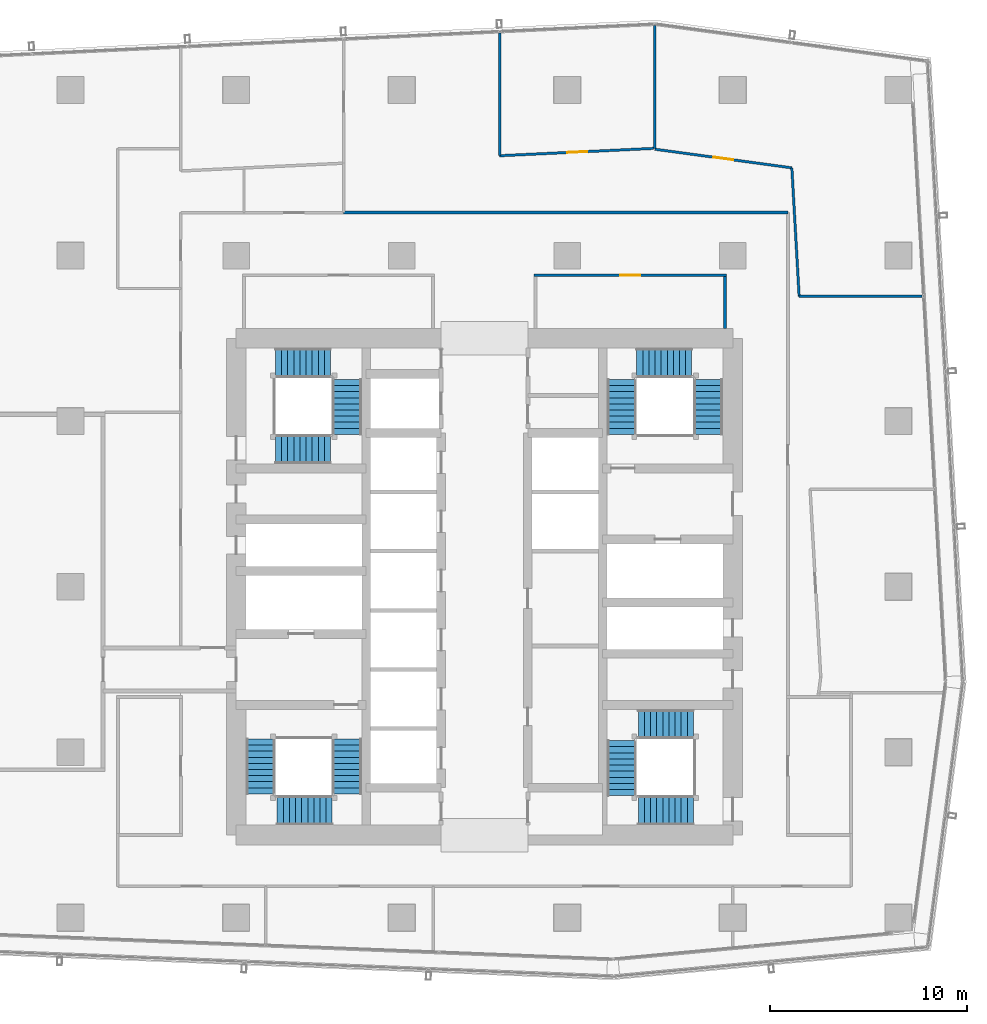
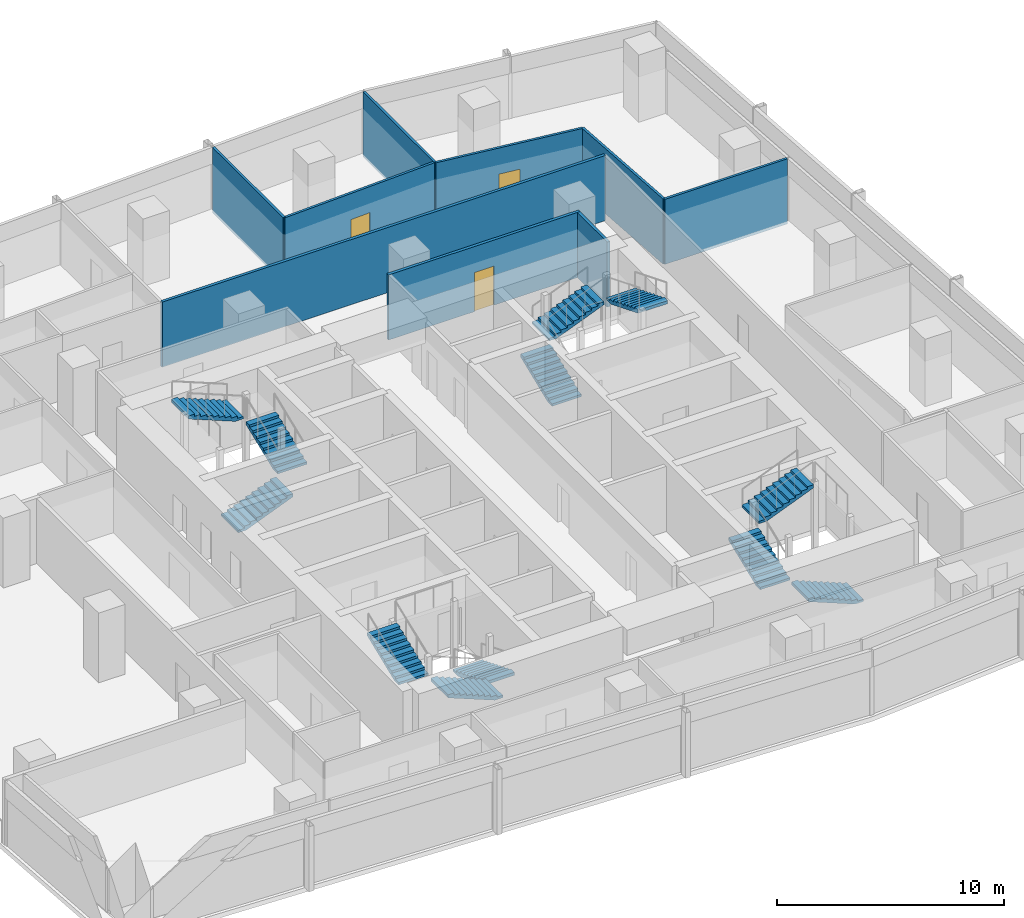
# One storey, part 29 of 39: 12 stair flights, 9 walls, 3 doors, 3 openings, 4 elements without a shape of their own.
"""IFC4 building model written with IfcOpenShell, lengths in metres."""

from ifc_helpers import new_model, si_unit, direction, frame, frame_2d, origin, place, context, subcontext, project, spatial, polyline, rectangle, outline, extrude, material, layer, layer_set, type_object, element, fill, aggregate, save


model = new_model("IFC4")

# Units and contexts
model_context = context("Model", 3, precision=1e-05, world=origin(), true_north=direction((0.0, 1.0)))
body_context = subcontext(model_context, "Body", "Model", "MODEL_VIEW")
ifc_project = project(units=[si_unit("LENGTHUNIT", "METRE"), si_unit("AREAUNIT", "SQUARE_METRE"), si_unit("VOLUMEUNIT", "CUBIC_METRE"), si_unit("PLANEANGLEUNIT", "RADIAN"), si_unit("MASSUNIT", "GRAM", prefix="KILO")], contexts=[model_context])

# Site, building, storey
site_placement = place(None, origin())
site = spatial("IfcSite", under=ifc_project, at=site_placement, CompositionType="ELEMENT")
building_placement = place(site_placement, origin())
building = spatial("IfcBuilding", under=site, at=building_placement, Name="Rekha Terrace Tower", CompositionType="ELEMENT")
storey_placement = place(building_placement, frame((0.0, 0.0, 221.449951171875)))
storey = spatial("IfcBuildingStorey", under=building, at=storey_placement, Name="L56", CompositionType="ELEMENT", Elevation=221.449951171875)

# Wall, opening, door
ifc_material_1 = material(Name="Concrete block masonry, 1 hour", Category="masonry")
ifc_layer_1 = layer(ifc_material_1, 0.14990234375)
ifc_layer_set_1 = layer_set([ifc_layer_1], Name="Concrete block masonry, 1 hour")
wall_type_1 = type_object("IfcWallType", Name="WP2 150 tenancy partition", PredefinedType="PARTITIONING", material=ifc_layer_set_1)
wall_1_placement = place(storey_placement, frame((40.324951171875, 49.39990234375, 0.0), z_axis=(0.0, 0.0, 1.0), x_axis=(1.0, 0.0, 0.0)))
wall_1 = element("IfcWall", 1, at=wall_1_placement, inside=storey, type_object=wall_type_1, Name="Women's WC wall L56", PredefinedType="PARTITIONING", context=body_context, shape_type="SweptSolid", body=[
    extrude(rectangle(XDim=9.75, YDim=0.14990234375, at=frame_2d((4.875, 0.0))), origin(), (0.0, 0.0, 1.0), 3.5),
])
opening_1_placement = place(wall_1_placement, frame((4.375, 0.0, 0.0)))
opening_1 = element("IfcOpeningElement", 2, at=opening_1_placement, cuts=wall_1, Name="Opening D3", PredefinedType="OPENING", context=body_context, shape_type="SweptSolid", body=[
    extrude(rectangle(XDim=1.0, YDim=2.10009765625, at=frame_2d((0.5, 1.050048828125))), frame((0.0, 0.0849609375, 0.0), z_axis=(0.0, -1.0, 0.0), x_axis=(1.0, 0.0, 0.0)), (0.0, 0.0, 1.0), 0.169921875),
])
ifc_material_2 = material(Name="Laminated timber fire door", Category="wood")
door_type_1 = type_object("IfcDoorType", Name="D3 1000x2100 WC door", OperationType="SINGLE_SWING_LEFT", PredefinedType="DOOR", material=ifc_material_2)
door_1_placement = place(opening_1_placement, origin())
door_1 = element("IfcDoor", 3, at=door_1_placement, inside=storey, type_object=door_type_1, Name="Door women's wc L56", OperationType="SINGLE_SWING_LEFT", OverallHeight=2.10009765625, OverallWidth=1.0, PredefinedType="DOOR", context=body_context, shape_type="SweptSolid", body=[
    extrude(rectangle(XDim=1.0, YDim=2.10009765625, at=frame_2d((0.5, 1.050048828125))), frame((0.0, 0.02490234375, 0.0), z_axis=(0.0, -1.0, 0.0), x_axis=(1.0, 0.0, 0.0)), (0.0, 0.0, 1.0), 0.050048828125),
])
fill(opening_1, door_1)

# Walls
wall_2_placement = place(storey_placement, frame((50.0, 46.699951171875, 0.0), z_axis=(0.0, 0.0, 1.0), x_axis=(0.0, 1.0, 0.0)))
element("IfcWall", 4, at=wall_2_placement, inside=storey, type_object=wall_type_1, Name="Women's WC wall L56", PredefinedType="PARTITIONING", context=body_context, shape_type="SweptSolid", body=[
    extrude(rectangle(XDim=2.625, YDim=0.14990234375, at=frame_2d((1.3125, 0.0))), origin(), (0.0, 0.0, 1.0), 3.5),
])
wall_3_placement = place(storey_placement, frame((53.199951171875, 52.574951171875, 0.0), z_axis=(0.0, 0.0, 1.0), x_axis=(-1.0, 0.0, 0.0)))
element("IfcWall", 5, at=wall_3_placement, inside=storey, type_object=wall_type_1, Name="Partition L56-O1", PredefinedType="PARTITIONING", context=body_context, shape_type="SweptSolid", body=[
    extrude(rectangle(XDim=22.5390625, YDim=0.14990234375, at=frame_2d((11.26953125, 0.0))), origin(), (0.0, 0.0, 1.0), 3.5),
])
ifc_material_3 = material(Name="Two layers of fire-rated gypsum board each side on steel studs, acoustic quilt, 1 hour", Category="steel")
ifc_layer_2 = layer(ifc_material_3, 0.125)
ifc_layer_set_2 = layer_set([ifc_layer_2], Name="Two layers of fire-rated gypsum board each side on steel studs, acoustic quilt, 1 hour")
wall_type_2 = type_object("IfcWallType", Name="WP3 125 office partition", PredefinedType="PARTITIONING", material=ifc_layer_set_2)
wall_4_placement = place(storey_placement, frame((59.99609375, 48.33203125, 0.0), z_axis=(0.0, 0.0, 1.0), x_axis=(-1.0, 0.0, 0.0)))
element("IfcWall", 6, at=wall_4_placement, inside=storey, type_object=wall_type_2, Name="Partition L56-05", PredefinedType="PARTITIONING", context=body_context, shape_type="SweptSolid", body=[
    extrude(rectangle(XDim=6.22998046875, YDim=0.125, at=frame_2d((3.114990234375, 0.0))), origin(), (0.0, 0.0, 1.0), 3.5),
])
wall_5_placement = place(storey_placement, frame((53.76611328125, 48.33203125, 0.0), z_axis=(0.0, 0.0, 1.0), x_axis=(-0.056691956107, 0.998391717771, 0.0)))
element("IfcWall", 7, at=wall_5_placement, inside=storey, type_object=wall_type_2, Name="Partition L56-05", PredefinedType="PARTITIONING", context=body_context, shape_type="SweptSolid", body=[
    extrude(rectangle(XDim=6.528564453125, YDim=0.125, at=frame_2d((3.26416015625, 0.0))), origin(), (0.0, 0.0, 1.0), 3.5),
])

# Wall, opening, door
wall_6_placement = place(storey_placement, frame((53.39599609375, 54.85009765625, 0.0), z_axis=(0.0, 0.0, 1.0), x_axis=(-0.990866774857, 0.134844482587, 0.0)))
wall_6 = element("IfcWall", 8, at=wall_6_placement, inside=storey, type_object=wall_type_2, Name="Partition L56-05", PredefinedType="PARTITIONING", context=body_context, shape_type="SweptSolid", body=[
    extrude(rectangle(XDim=7.013916015625, YDim=0.125, at=frame_2d((3.5068359375, 0.0))), origin(), (0.0, 0.0, 1.0), 3.5),
])
opening_2_placement = place(wall_6_placement, frame((3.008056640625, 0.0, 0.0)))
opening_2 = element("IfcOpeningElement", 9, at=opening_2_placement, cuts=wall_6, Name="Opening D9", PredefinedType="OPENING", context=body_context, shape_type="SweptSolid", body=[
    extrude(rectangle(XDim=1.0, YDim=2.10009765625, at=frame_2d((0.5, 1.050048828125))), frame((0.0, 0.072509765625, 0.0), z_axis=(0.0, -1.0, 0.0), x_axis=(1.0, 0.0, 0.0)), (0.0, 0.0, 1.0), 0.14501953125),
])
ifc_material_4 = material(Name="Timber fire door", Category="wood")
door_type_2 = type_object("IfcDoorType", Name="D9 1000x2100 office door", OperationType="SINGLE_SWING_LEFT", PredefinedType="DOOR", material=ifc_material_4)
door_2_placement = place(opening_2_placement, origin())
door_2 = element("IfcDoor", 10, at=door_2_placement, inside=storey, type_object=door_type_2, Name="Door director's office L56", OperationType="SINGLE_SWING_LEFT", OverallHeight=2.10009765625, OverallWidth=1.0, PredefinedType="DOOR", context=body_context, shape_type="SweptSolid", body=[
    extrude(rectangle(XDim=1.0, YDim=2.10009765625, at=frame_2d((0.5, 1.050048828125))), frame((0.0, 0.02490234375, 0.0), z_axis=(0.0, -1.0, 0.0), x_axis=(1.0, 0.0, 0.0)), (0.0, 0.0, 1.0), 0.050048828125),
])
fill(opening_2, door_2)

# Walls
wall_7_placement = place(storey_placement, frame((46.445068359375, 55.819091796875, 0.0), z_axis=(0.0, 0.0, 1.0), x_axis=(0.0, 1.0, 0.0)))
element("IfcWall", 11, at=wall_7_placement, inside=storey, type_object=wall_type_2, Name="Partition L56-05", PredefinedType="PARTITIONING", context=body_context, shape_type="SweptSolid", body=[
    extrude(rectangle(XDim=6.247802734375, YDim=0.125, at=frame_2d((3.1240234375, 0.0))), origin(), (0.0, 0.0, 1.0), 3.5),
])
wall_8_placement = place(storey_placement, frame((38.571044921875, 55.464111328125, 0.0), z_axis=(0.0, 0.0, 1.0), x_axis=(0.0, 1.0, 0.0)))
element("IfcWall", 12, at=wall_8_placement, inside=storey, type_object=wall_type_2, Name="Partition L56-06", PredefinedType="PARTITIONING", context=body_context, shape_type="SweptSolid", body=[
    extrude(rectangle(XDim=6.226806640625, YDim=0.125, at=frame_2d((3.11328125, 0.0))), origin(), (0.0, 0.0, 1.0), 3.5),
])

# Wall, opening, door
wall_9_placement = place(storey_placement, frame((46.383056640625, 55.8369140625, 0.0), z_axis=(0.0, 0.0, 1.0), x_axis=(-0.998863259329, -0.047667485374, 0.0)))
wall_9 = element("IfcWall", 13, at=wall_9_placement, inside=storey, type_object=wall_type_2, Name="Partition L56-06", PredefinedType="PARTITIONING", context=body_context, shape_type="SweptSolid", body=[
    extrude(rectangle(XDim=7.82080078125, YDim=0.125, at=frame_2d((3.910400390625, 0.0))), origin(), (0.0, 0.0, 1.0), 3.5),
])
opening_3_placement = place(wall_9_placement, frame((3.3798828125, 0.0, 0.0)))
opening_3 = element("IfcOpeningElement", 14, at=opening_3_placement, cuts=wall_9, Name="Opening D9", PredefinedType="OPENING", context=body_context, shape_type="SweptSolid", body=[
    extrude(rectangle(XDim=1.0, YDim=2.10009765625, at=frame_2d((0.5, 1.050048828125))), frame((0.0, 0.072509765625, 0.0), z_axis=(0.0, -1.0, 0.0), x_axis=(1.0, 0.0, 0.0)), (0.0, 0.0, 1.0), 0.14501953125),
])
door_3_placement = place(opening_3_placement, origin())
door_3 = element("IfcDoor", 15, at=door_3_placement, inside=storey, type_object=door_type_2, Name="Door director's office L56", OperationType="SINGLE_SWING_LEFT", OverallHeight=2.10009765625, OverallWidth=1.0, PredefinedType="DOOR", context=body_context, shape_type="SweptSolid", body=[
    extrude(rectangle(XDim=1.0, YDim=2.10009765625, at=frame_2d((0.5, 1.050048828125))), frame((0.0, 0.02490234375, 0.0), z_axis=(0.0, -1.0, 0.0), x_axis=(1.0, 0.0, 0.0)), (0.0, 0.0, 1.0), 0.050048828125),
])
fill(opening_3, door_3)

# Stair, stair flights
ifc_material_5 = material(Name="Concrete M40", Category="concrete")
stair_type = type_object("IfcStairType", Name="ST30 stair, 30 risers of 125, going 310, 1500 wide flights, 3 flights", PredefinedType="HALF_TURN_STAIR", material=ifc_material_5)
stair_1_placement = place(storey_placement, origin())
stair_1 = element("IfcStair", 16, at=stair_1_placement, inside=storey, type_object=stair_type, Name="Stair ST1 L56 to L57", PredefinedType="HALF_TURN_STAIR")
stair_flight_type = type_object("IfcStairFlightType", Name="SF10 stair flight, 10 risers of 125, going 310, 1500 wide", PredefinedType="STRAIGHT", material=ifc_material_5)
stair_flight_1_placement = place(storey_placement, frame((30.824951171875, 25.875, 0.0), z_axis=(0.0, 0.0, 1.0), x_axis=(0.0, -1.0, 0.0)))
stair_flight_1 = element("IfcStairFlight", 17, at=stair_flight_1_placement, type_object=stair_flight_type, Name="ST1 flight 1", NumberOfRisers=10, NumberOfTreads=9, PredefinedType="STRAIGHT", RiserHeight=0.125, TreadLength=0.31, context=body_context, shape_type="SweptSolid", body=[
    extrude(outline(polyline([(0.0, 0.0), (0.0, 0.125), (0.31005859375, 0.125), (0.31005859375, 0.25), (0.6201171875, 0.25), (0.6201171875, 0.375), (0.929931640625, 0.375), (0.929931640625, 0.5), (1.239990234375, 0.5), (1.239990234375, 0.625), (1.550048828125, 0.625), (1.550048828125, 0.75), (1.860107421875, 0.75), (1.860107421875, 0.875), (2.169921875, 0.875), (2.169921875, 1.0), (2.47998046875, 1.0), (2.47998046875, 1.125), (2.7900390625, 1.125), (2.7900390625, 1.25), (2.7900390625, 0.96337890625), (0.40087890625, 0.0), (0.0, 0.0)])), frame((0.0, 0.75, 0.0), z_axis=(0.0, -1.0, 0.0), x_axis=(1.0, 0.0, 0.0)), (0.0, 0.0, 1.0), 1.5),
])
stair_flight_2_placement = place(storey_placement, frame((30.074951171875, 22.25, 1.25), z_axis=(0.0, 0.0, 1.0), x_axis=(-1.0, 0.0, 0.0)))
stair_flight_2 = element("IfcStairFlight", 18, at=stair_flight_2_placement, type_object=stair_flight_type, Name="ST1 flight 2", NumberOfRisers=10, NumberOfTreads=9, PredefinedType="STRAIGHT", RiserHeight=0.125, TreadLength=0.31, context=body_context, shape_type="SweptSolid", body=[
    extrude(outline(polyline([(0.0, 0.0), (0.0, 0.125), (0.31005859375, 0.125), (0.31005859375, 0.25), (0.6201171875, 0.25), (0.6201171875, 0.375), (0.929931640625, 0.375), (0.929931640625, 0.5), (1.239990234375, 0.5), (1.239990234375, 0.625), (1.550048828125, 0.625), (1.550048828125, 0.75), (1.860107421875, 0.75), (1.860107421875, 0.875), (2.169921875, 0.875), (2.169921875, 1.0), (2.47998046875, 1.0), (2.47998046875, 1.125), (2.7900390625, 1.125), (2.7900390625, 1.25), (2.7900390625, 0.96337890625), (0.40087890625, 0.0), (0.0, 0.0)])), frame((0.0, 0.75, 0.0), z_axis=(0.0, -1.0, 0.0), x_axis=(1.0, 0.0, 0.0)), (0.0, 0.0, 1.0), 1.5),
])
stair_flight_3_placement = place(storey_placement, frame((26.449951171875, 23.0849609375, 2.5), z_axis=(0.0, 0.0, 1.0), x_axis=(0.0, 1.0, 0.0)))
stair_flight_3 = element("IfcStairFlight", 19, at=stair_flight_3_placement, type_object=stair_flight_type, Name="ST1 flight 3", NumberOfRisers=10, NumberOfTreads=9, PredefinedType="STRAIGHT", RiserHeight=0.125, TreadLength=0.31, context=body_context, shape_type="SweptSolid", body=[
    extrude(outline(polyline([(0.0, 0.0), (0.0, 0.125), (0.31005859375, 0.125), (0.31005859375, 0.25), (0.6201171875, 0.25), (0.6201171875, 0.375), (0.929931640625, 0.375), (0.929931640625, 0.5), (1.239990234375, 0.5), (1.239990234375, 0.625), (1.550048828125, 0.625), (1.550048828125, 0.75), (1.860107421875, 0.75), (1.860107421875, 0.875), (2.169921875, 0.875), (2.169921875, 1.0), (2.47998046875, 1.0), (2.47998046875, 1.125), (2.7900390625, 1.125), (2.7900390625, 1.25), (2.7900390625, 0.96337890625), (0.40087890625, 0.0), (0.0, 0.0)])), frame((0.0, 0.75, 0.0), z_axis=(0.0, -1.0, 0.0), x_axis=(1.0, 0.0, 0.0)), (0.0, 0.0, 1.0), 1.5),
])
aggregate(stair_1, [stair_flight_1, stair_flight_2, stair_flight_3])

stair_2_placement = place(storey_placement, origin())
stair_2 = element("IfcStair", 20, at=stair_2_placement, inside=storey, type_object=stair_type, Name="Stair ST2 L56 to L57", PredefinedType="HALF_TURN_STAIR")
stair_flight_4_placement = place(storey_placement, frame((44.77490234375, 41.324951171875, 0.0), z_axis=(0.0, 0.0, 1.0), x_axis=(0.0, 1.0, 0.0)))
stair_flight_4 = element("IfcStairFlight", 21, at=stair_flight_4_placement, type_object=stair_flight_type, Name="ST2 flight 1", NumberOfRisers=10, NumberOfTreads=9, PredefinedType="STRAIGHT", RiserHeight=0.125, TreadLength=0.31, context=body_context, shape_type="SweptSolid", body=[
    extrude(outline(polyline([(0.0, 0.0), (0.0, 0.125), (0.31005859375, 0.125), (0.31005859375, 0.25), (0.6201171875, 0.25), (0.6201171875, 0.375), (0.929931640625, 0.375), (0.929931640625, 0.5), (1.239990234375, 0.5), (1.239990234375, 0.625), (1.550048828125, 0.625), (1.550048828125, 0.75), (1.860107421875, 0.75), (1.860107421875, 0.875), (2.169921875, 0.875), (2.169921875, 1.0), (2.47998046875, 1.0), (2.47998046875, 1.125), (2.7900390625, 1.125), (2.7900390625, 1.25), (2.7900390625, 0.96337890625), (0.40087890625, 0.0), (0.0, 0.0)])), frame((0.0, 0.75, 0.0), z_axis=(0.0, -1.0, 0.0), x_axis=(1.0, 0.0, 0.0)), (0.0, 0.0, 1.0), 1.5),
])
stair_flight_5_placement = place(storey_placement, frame((45.52490234375, 44.949951171875, 1.25), z_axis=(0.0, 0.0, 1.0), x_axis=(1.0, 0.0, 0.0)))
stair_flight_5 = element("IfcStairFlight", 22, at=stair_flight_5_placement, type_object=stair_flight_type, Name="ST2 flight 2", NumberOfRisers=10, NumberOfTreads=9, PredefinedType="STRAIGHT", RiserHeight=0.125, TreadLength=0.31, context=body_context, shape_type="SweptSolid", body=[
    extrude(outline(polyline([(0.0, 0.0), (0.0, 0.125), (0.31005859375, 0.125), (0.31005859375, 0.25), (0.6201171875, 0.25), (0.6201171875, 0.375), (0.929931640625, 0.375), (0.929931640625, 0.5), (1.239990234375, 0.5), (1.239990234375, 0.625), (1.550048828125, 0.625), (1.550048828125, 0.75), (1.860107421875, 0.75), (1.860107421875, 0.875), (2.169921875, 0.875), (2.169921875, 1.0), (2.47998046875, 1.0), (2.47998046875, 1.125), (2.7900390625, 1.125), (2.7900390625, 1.25), (2.7900390625, 0.96337890625), (0.40087890625, 0.0), (0.0, 0.0)])), frame((0.0, 0.75, 0.0), z_axis=(0.0, -1.0, 0.0), x_axis=(1.0, 0.0, 0.0)), (0.0, 0.0, 1.0), 1.5),
])
stair_flight_6_placement = place(storey_placement, frame((49.14990234375, 44.114990234375, 2.5), z_axis=(0.0, 0.0, 1.0), x_axis=(0.0, -1.0, 0.0)))
stair_flight_6 = element("IfcStairFlight", 23, at=stair_flight_6_placement, type_object=stair_flight_type, Name="ST2 flight 3", NumberOfRisers=10, NumberOfTreads=9, PredefinedType="STRAIGHT", RiserHeight=0.125, TreadLength=0.31, context=body_context, shape_type="SweptSolid", body=[
    extrude(outline(polyline([(0.0, 0.0), (0.0, 0.125), (0.31005859375, 0.125), (0.31005859375, 0.25), (0.6201171875, 0.25), (0.6201171875, 0.375), (0.929931640625, 0.375), (0.929931640625, 0.5), (1.239990234375, 0.5), (1.239990234375, 0.625), (1.550048828125, 0.625), (1.550048828125, 0.75), (1.860107421875, 0.75), (1.860107421875, 0.875), (2.169921875, 0.875), (2.169921875, 1.0), (2.47998046875, 1.0), (2.47998046875, 1.125), (2.7900390625, 1.125), (2.7900390625, 1.25), (2.7900390625, 0.96337890625), (0.40087890625, 0.0), (0.0, 0.0)])), frame((0.0, 0.75, 0.0), z_axis=(0.0, -1.0, 0.0), x_axis=(1.0, 0.0, 0.0)), (0.0, 0.0, 1.0), 1.5),
])
aggregate(stair_2, [stair_flight_4, stair_flight_5, stair_flight_6])

stair_3_placement = place(storey_placement, origin())
stair_3 = element("IfcStair", 24, at=stair_3_placement, inside=storey, type_object=stair_type, Name="Stair ST3 L56 to L57", PredefinedType="HALF_TURN_STAIR")
stair_flight_7_placement = place(storey_placement, frame((48.39990234375, 22.25, 0.0), z_axis=(0.0, 0.0, 1.0), x_axis=(-1.0, 0.0, 0.0)))
stair_flight_7 = element("IfcStairFlight", 25, at=stair_flight_7_placement, type_object=stair_flight_type, Name="ST3 flight 1", NumberOfRisers=10, NumberOfTreads=9, PredefinedType="STRAIGHT", RiserHeight=0.125, TreadLength=0.31, context=body_context, shape_type="SweptSolid", body=[
    extrude(outline(polyline([(0.0, 0.0), (0.0, 0.125), (0.31005859375, 0.125), (0.31005859375, 0.25), (0.6201171875, 0.25), (0.6201171875, 0.375), (0.929931640625, 0.375), (0.929931640625, 0.5), (1.239990234375, 0.5), (1.239990234375, 0.625), (1.550048828125, 0.625), (1.550048828125, 0.75), (1.860107421875, 0.75), (1.860107421875, 0.875), (2.169921875, 0.875), (2.169921875, 1.0), (2.47998046875, 1.0), (2.47998046875, 1.125), (2.7900390625, 1.125), (2.7900390625, 1.25), (2.7900390625, 0.96337890625), (0.40087890625, 0.0), (0.0, 0.0)])), frame((0.0, 0.75, 0.0), z_axis=(0.0, -1.0, 0.0), x_axis=(1.0, 0.0, 0.0)), (0.0, 0.0, 1.0), 1.5),
])
stair_flight_8_placement = place(storey_placement, frame((44.77490234375, 23.0, 1.25), z_axis=(0.0, 0.0, 1.0), x_axis=(0.0, 1.0, 0.0)))
stair_flight_8 = element("IfcStairFlight", 26, at=stair_flight_8_placement, type_object=stair_flight_type, Name="ST3 flight 2", NumberOfRisers=10, NumberOfTreads=9, PredefinedType="STRAIGHT", RiserHeight=0.125, TreadLength=0.31, context=body_context, shape_type="SweptSolid", body=[
    extrude(outline(polyline([(0.0, 0.0), (0.0, 0.125), (0.31005859375, 0.125), (0.31005859375, 0.25), (0.6201171875, 0.25), (0.6201171875, 0.375), (0.929931640625, 0.375), (0.929931640625, 0.5), (1.239990234375, 0.5), (1.239990234375, 0.625), (1.550048828125, 0.625), (1.550048828125, 0.75), (1.860107421875, 0.75), (1.860107421875, 0.875), (2.169921875, 0.875), (2.169921875, 1.0), (2.47998046875, 1.0), (2.47998046875, 1.125), (2.7900390625, 1.125), (2.7900390625, 1.25), (2.7900390625, 0.96337890625), (0.40087890625, 0.0), (0.0, 0.0)])), frame((0.0, 0.75, 0.0), z_axis=(0.0, -1.0, 0.0), x_axis=(1.0, 0.0, 0.0)), (0.0, 0.0, 1.0), 1.5),
])
stair_flight_9_placement = place(storey_placement, frame((45.610107421875, 26.625, 2.5), z_axis=(0.0, 0.0, 1.0), x_axis=(1.0, 0.0, 0.0)))
stair_flight_9 = element("IfcStairFlight", 27, at=stair_flight_9_placement, type_object=stair_flight_type, Name="ST3 flight 3", NumberOfRisers=10, NumberOfTreads=9, PredefinedType="STRAIGHT", RiserHeight=0.125, TreadLength=0.31, context=body_context, shape_type="SweptSolid", body=[
    extrude(outline(polyline([(0.0, 0.0), (0.0, 0.125), (0.31005859375, 0.125), (0.31005859375, 0.25), (0.6201171875, 0.25), (0.6201171875, 0.375), (0.929931640625, 0.375), (0.929931640625, 0.5), (1.239990234375, 0.5), (1.239990234375, 0.625), (1.550048828125, 0.625), (1.550048828125, 0.75), (1.860107421875, 0.75), (1.860107421875, 0.875), (2.169921875, 0.875), (2.169921875, 1.0), (2.47998046875, 1.0), (2.47998046875, 1.125), (2.7900390625, 1.125), (2.7900390625, 1.25), (2.7900390625, 0.96337890625), (0.40087890625, 0.0), (0.0, 0.0)])), frame((0.0, 0.75, 0.0), z_axis=(0.0, -1.0, 0.0), x_axis=(1.0, 0.0, 0.0)), (0.0, 0.0, 1.0), 1.5),
])
aggregate(stair_3, [stair_flight_7, stair_flight_8, stair_flight_9])

stair_4_placement = place(storey_placement, origin())
stair_4 = element("IfcStair", 28, at=stair_4_placement, inside=storey, type_object=stair_type, Name="Stair ST4 L56 to L57", PredefinedType="HALF_TURN_STAIR")
stair_flight_10_placement = place(storey_placement, frame((27.199951171875, 40.574951171875, 0.0), z_axis=(0.0, 0.0, 1.0), x_axis=(1.0, 0.0, 0.0)))
stair_flight_10 = element("IfcStairFlight", 29, at=stair_flight_10_placement, type_object=stair_flight_type, Name="ST4 flight 1", NumberOfRisers=10, NumberOfTreads=9, PredefinedType="STRAIGHT", RiserHeight=0.125, TreadLength=0.31, context=body_context, shape_type="SweptSolid", body=[
    extrude(outline(polyline([(0.0, 0.0), (0.0, 0.125), (0.31005859375, 0.125), (0.31005859375, 0.25), (0.6201171875, 0.25), (0.6201171875, 0.375), (0.929931640625, 0.375), (0.929931640625, 0.5), (1.239990234375, 0.5), (1.239990234375, 0.625), (1.550048828125, 0.625), (1.550048828125, 0.75), (1.860107421875, 0.75), (1.860107421875, 0.875), (2.169921875, 0.875), (2.169921875, 1.0), (2.47998046875, 1.0), (2.47998046875, 1.125), (2.7900390625, 1.125), (2.7900390625, 1.25), (2.7900390625, 0.96337890625), (0.40087890625, 0.0), (0.0, 0.0)])), frame((0.0, 0.75, 0.0), z_axis=(0.0, -1.0, 0.0), x_axis=(1.0, 0.0, 0.0)), (0.0, 0.0, 1.0), 1.5),
])
stair_flight_11_placement = place(storey_placement, frame((30.824951171875, 41.324951171875, 1.25), z_axis=(0.0, 0.0, 1.0), x_axis=(0.0, 1.0, 0.0)))
stair_flight_11 = element("IfcStairFlight", 30, at=stair_flight_11_placement, type_object=stair_flight_type, Name="ST4 flight 2", NumberOfRisers=10, NumberOfTreads=9, PredefinedType="STRAIGHT", RiserHeight=0.125, TreadLength=0.31, context=body_context, shape_type="SweptSolid", body=[
    extrude(outline(polyline([(0.0, 0.0), (0.0, 0.125), (0.31005859375, 0.125), (0.31005859375, 0.25), (0.6201171875, 0.25), (0.6201171875, 0.375), (0.929931640625, 0.375), (0.929931640625, 0.5), (1.239990234375, 0.5), (1.239990234375, 0.625), (1.550048828125, 0.625), (1.550048828125, 0.75), (1.860107421875, 0.75), (1.860107421875, 0.875), (2.169921875, 0.875), (2.169921875, 1.0), (2.47998046875, 1.0), (2.47998046875, 1.125), (2.7900390625, 1.125), (2.7900390625, 1.25), (2.7900390625, 0.96337890625), (0.40087890625, 0.0), (0.0, 0.0)])), frame((0.0, 0.75, 0.0), z_axis=(0.0, -1.0, 0.0), x_axis=(1.0, 0.0, 0.0)), (0.0, 0.0, 1.0), 1.5),
])
stair_flight_12_placement = place(storey_placement, frame((29.989990234375, 44.949951171875, 2.5), z_axis=(0.0, 0.0, 1.0), x_axis=(-1.0, 0.0, 0.0)))
stair_flight_12 = element("IfcStairFlight", 31, at=stair_flight_12_placement, type_object=stair_flight_type, Name="ST4 flight 3", NumberOfRisers=10, NumberOfTreads=9, PredefinedType="STRAIGHT", RiserHeight=0.125, TreadLength=0.31, context=body_context, shape_type="SweptSolid", body=[
    extrude(outline(polyline([(0.0, 0.0), (0.0, 0.125), (0.31005859375, 0.125), (0.31005859375, 0.25), (0.6201171875, 0.25), (0.6201171875, 0.375), (0.929931640625, 0.375), (0.929931640625, 0.5), (1.239990234375, 0.5), (1.239990234375, 0.625), (1.550048828125, 0.625), (1.550048828125, 0.75), (1.860107421875, 0.75), (1.860107421875, 0.875), (2.169921875, 0.875), (2.169921875, 1.0), (2.47998046875, 1.0), (2.47998046875, 1.125), (2.7900390625, 1.125), (2.7900390625, 1.25), (2.7900390625, 0.96337890625), (0.40087890625, 0.0), (0.0, 0.0)])), frame((0.0, 0.75, 0.0), z_axis=(0.0, -1.0, 0.0), x_axis=(1.0, 0.0, 0.0)), (0.0, 0.0, 1.0), 1.5),
])
aggregate(stair_4, [stair_flight_10, stair_flight_11, stair_flight_12])

save(model, "model.ifc")
